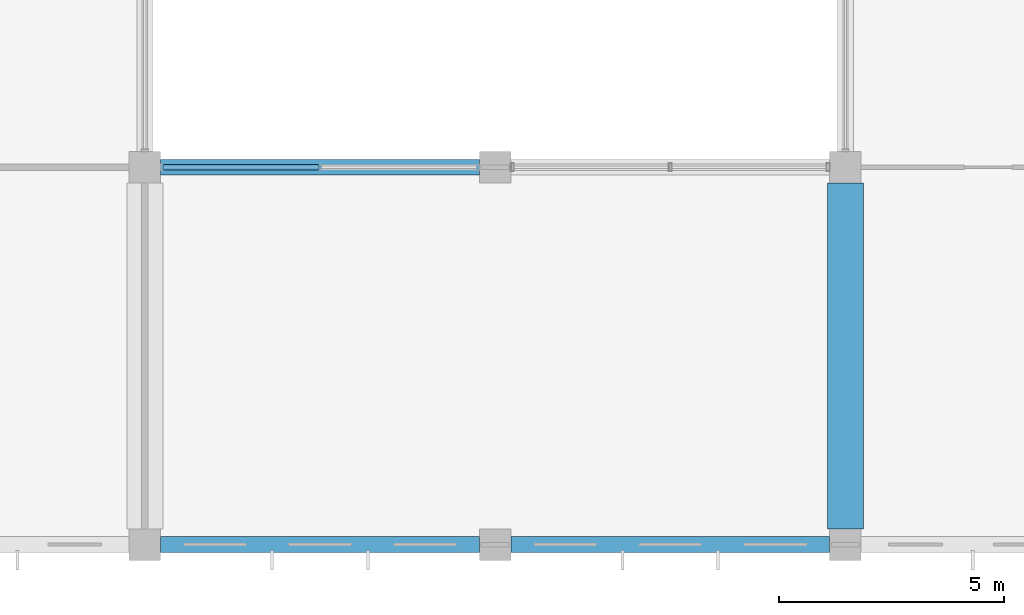
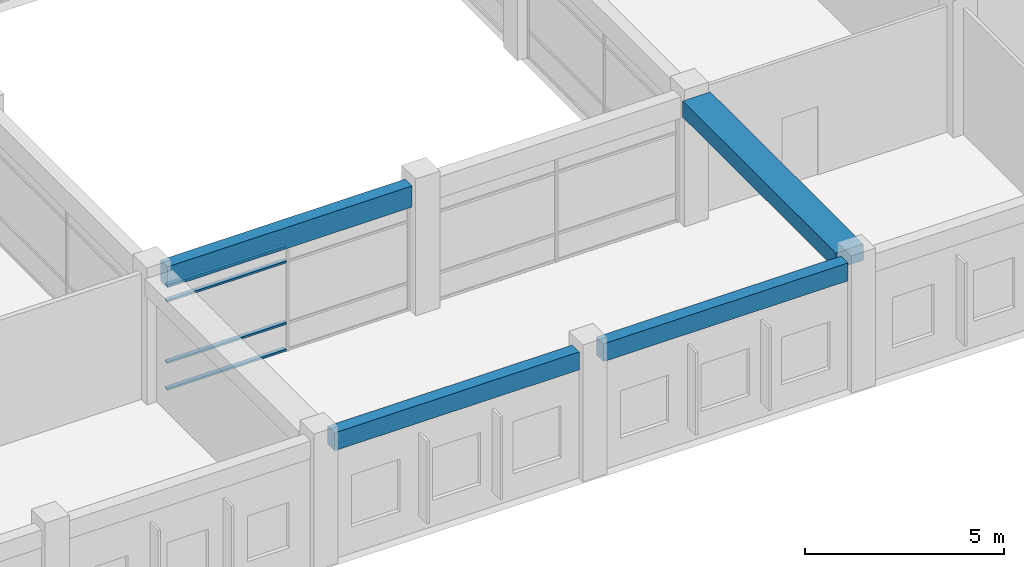
# One storey, part 12 of 53: 4 beams, 4 members, 1 element without a shape of its own.
"""IFC4 building model written with IfcOpenShell, lengths in metres."""

from ifc_helpers import new_model, si_unit, direction, frame, origin, origin_2d, place, context, subcontext, project, spatial, rectangle, hollow_rectangle, extrude, material, material_profile, profile_set, type_object, element, aggregate, save


model = new_model("IFC4")

# Units and contexts
model_context = context("Model", 3, precision=1e-05, world=origin(), true_north=direction((0.0, 1.0)))
body_context = subcontext(model_context, "Body", "Model", "MODEL_VIEW")
ifc_project = project(units=[si_unit("LENGTHUNIT", "METRE"), si_unit("AREAUNIT", "SQUARE_METRE"), si_unit("VOLUMEUNIT", "CUBIC_METRE"), si_unit("PLANEANGLEUNIT", "RADIAN"), si_unit("MASSUNIT", "GRAM", prefix="KILO"), si_unit("THERMODYNAMICTEMPERATUREUNIT", "KELVIN"), si_unit("POWERUNIT", "WATT")], contexts=[model_context])

# Site, building, storey
site_placement = place(None, origin())
site = spatial("IfcSite", under=ifc_project, at=site_placement, CompositionType="ELEMENT")
building_placement = place(site_placement, origin())
building = spatial("IfcBuilding", under=site, at=building_placement, Name="Srebrne Nadtorze General Hospital", CompositionType="ELEMENT")
storey_placement = place(building_placement, frame((0.0, 0.0, 18.0)))
storey = spatial("IfcBuildingStorey", under=building, at=storey_placement, Name="L04", CompositionType="ELEMENT", Elevation=18.0)

# Curtain wall, members
ifc_material_1 = material(Name="Anodised Aluminium", Category="aluminium")
curtain_wall_type = type_object("IfcCurtainWallType", Name="Unitised curtain wall 7100x3235", PredefinedType="NOTDEFINED", material=ifc_material_1)
curtain_wall_placement = place(storey_placement, origin())
curtain_wall = element("IfcCurtainWall", 1, at=curtain_wall_placement, inside=storey, type_object=curtain_wall_type, Name="Curtain wall CW-102", PredefinedType="NOTDEFINED")
ifc_material_2 = material(Name="Anodised Aluminium", Category="aluminium")
ifc_material_profile_1 = material_profile(ifc_material_2, hollow_rectangle(XDim=0.06005859375, YDim=0.1201171875, WallThickness=0.00390625, at=origin_2d()), Name="AL-TRN-60x120")
ifc_profile_set_1 = profile_set([ifc_material_profile_1], Name="Anodised Aluminium")
member_type = type_object("IfcMemberType", Name="Curtain transom 60x120", PredefinedType="USERDEFINED", material=ifc_profile_set_1)
member_1_placement = place(storey_placement, frame((117.409912109375, 8.39990234375, 0.030029296875), z_axis=(1.0, 0.0, 0.0), x_axis=(0.0, 0.0, 1.0)))
member_1 = element("IfcMember", 2, at=member_1_placement, type_object=member_type, Name="CW-102 transom 1.1", ObjectType="TRANSOM", PredefinedType="USERDEFINED", context=body_context, shape_type="SweptSolid", body=[
    extrude(hollow_rectangle(XDim=0.06005859375, YDim=0.1201171875, WallThickness=0.00390625, at=origin_2d()), origin(), (0.0, 0.0, 1.0), 3.460205078125),
])
member_2_placement = place(storey_placement, frame((117.409912109375, 8.39990234375, 0.85009765625), z_axis=(1.0, 0.0, 0.0), x_axis=(0.0, 0.0, 1.0)))
member_2 = element("IfcMember", 3, at=member_2_placement, type_object=member_type, Name="CW-102 transom 1.2", ObjectType="TRANSOM", PredefinedType="USERDEFINED", context=body_context, shape_type="SweptSolid", body=[
    extrude(hollow_rectangle(XDim=0.06005859375, YDim=0.1201171875, WallThickness=0.00390625, at=origin_2d()), origin(), (0.0, 0.0, 1.0), 3.460205078125),
])
member_3_placement = place(storey_placement, frame((117.409912109375, 8.39990234375, 2.735107421875), z_axis=(1.0, 0.0, 0.0), x_axis=(0.0, 0.0, 1.0)))
member_3 = element("IfcMember", 4, at=member_3_placement, type_object=member_type, Name="CW-102 transom 1.3", ObjectType="TRANSOM", PredefinedType="USERDEFINED", context=body_context, shape_type="SweptSolid", body=[
    extrude(hollow_rectangle(XDim=0.06005859375, YDim=0.1201171875, WallThickness=0.00390625, at=origin_2d()), origin(), (0.0, 0.0, 1.0), 3.460205078125),
])
member_4_placement = place(storey_placement, frame((117.409912109375, 8.39990234375, 3.205078125), z_axis=(1.0, 0.0, 0.0), x_axis=(0.0, 0.0, 1.0)))
member_4 = element("IfcMember", 5, at=member_4_placement, type_object=member_type, Name="CW-102 transom 1.4", ObjectType="TRANSOM", PredefinedType="USERDEFINED", context=body_context, shape_type="SweptSolid", body=[
    extrude(hollow_rectangle(XDim=0.06005859375, YDim=0.1201171875, WallThickness=0.00390625, at=origin_2d()), origin(), (0.0, 0.0, 1.0), 3.460205078125),
])
aggregate(curtain_wall, [member_1, member_2, member_3, member_4])

# Beams
ifc_material_3 = material(Name="Concrete C35/45", Category="concrete")
ifc_material_profile_2 = material_profile(ifc_material_3, rectangle(XDim=0.35009765625, YDim=0.64990234375, at=origin_2d()), Name="RC-BM-350x650")
ifc_profile_set_2 = profile_set([ifc_material_profile_2], Name="Concrete C35/45")
beam_type_1 = type_object("IfcBeamType", Name="Edge beam RC 350x650", PredefinedType="BEAM", material=ifc_profile_set_2)
beam_1_placement = place(storey_placement, frame((117.35009765625, 8.39990234375, 3.56005859375), z_axis=(1.0, 0.0, 0.0), x_axis=(0.0, 1.0, 0.0)))
element("IfcBeam", 6, at=beam_1_placement, inside=storey, type_object=beam_type_1, Name="Beam BM-L04-X-0869", PredefinedType="BEAM", context=body_context, shape_type="SweptSolid", body=[
    extrude(rectangle(XDim=0.35009765625, YDim=0.64990234375, at=origin_2d()), origin(), (0.0, 0.0, 1.0), 7.099853515625),
])
ifc_material_4 = material(Name="Concrete C40/50", Category="concrete")
ifc_material_profile_3 = material_profile(ifc_material_4, rectangle(XDim=0.800048828125, YDim=0.5, at=origin_2d()), Name="RC-BM-800x500")
ifc_profile_set_3 = profile_set([ifc_material_profile_3], Name="Concrete C40/50")
beam_type_2 = type_object("IfcBeamType", Name="Primary beam RC 800x500", PredefinedType="BEAM", material=ifc_profile_set_3)
beam_2_placement = place(storey_placement, frame((132.60009765625, 0.35009765625, 3.635009765625), z_axis=(0.0, 1.0, 0.0), x_axis=(-1.0, 0.0, 0.0)))
element("IfcBeam", 7, at=beam_2_placement, inside=storey, type_object=beam_type_2, Name="Beam BM-L04-Y-0974", PredefinedType="BEAM", context=body_context, shape_type="SweptSolid", body=[
    extrude(rectangle(XDim=0.800048828125, YDim=0.5, at=origin_2d()), origin(), (0.0, 0.0, 1.0), 7.699951171875),
])
ifc_material_5 = material(Name="Concrete C35/45", Category="concrete")
ifc_material_profile_4 = material_profile(ifc_material_5, rectangle(XDim=0.35009765625, YDim=0.550048828125, at=origin_2d()), Name="RC-BM-350x550")
ifc_profile_set_4 = profile_set([ifc_material_profile_4], Name="Concrete C35/45")
beam_type_3 = type_object("IfcBeamType", Name="Spandrel lintel beam RC 350x550", PredefinedType="LINTEL", material=ifc_profile_set_4)
beam_3_placement = place(storey_placement, frame((117.35009765625, 0.0, 3.610107421875), z_axis=(1.0, 0.0, 0.0), x_axis=(0.0, 1.0, 0.0)))
element("IfcBeam", 8, at=beam_3_placement, inside=storey, type_object=beam_type_3, Name="Beam BM-L04-X-0861", PredefinedType="LINTEL", context=body_context, shape_type="SweptSolid", body=[
    extrude(rectangle(XDim=0.35009765625, YDim=0.550048828125, at=origin_2d()), origin(), (0.0, 0.0, 1.0), 7.099853515625),
])
beam_4_placement = place(storey_placement, frame((125.14990234375, 0.0, 3.610107421875), z_axis=(1.0, 0.0, 0.0), x_axis=(0.0, 1.0, 0.0)))
element("IfcBeam", 9, at=beam_4_placement, inside=storey, type_object=beam_type_3, Name="Beam BM-L04-X-0862", PredefinedType="LINTEL", context=body_context, shape_type="SweptSolid", body=[
    extrude(rectangle(XDim=0.35009765625, YDim=0.550048828125, at=origin_2d()), origin(), (0.0, 0.0, 1.0), 7.10009765625),
])

save(model, "model.ifc")
